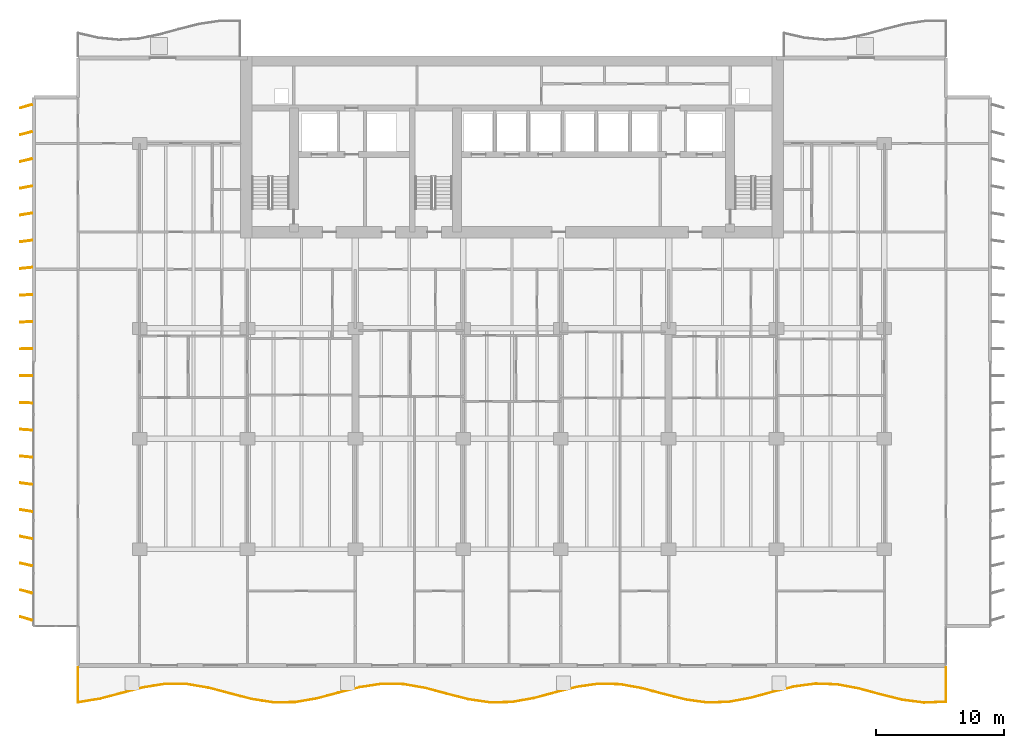
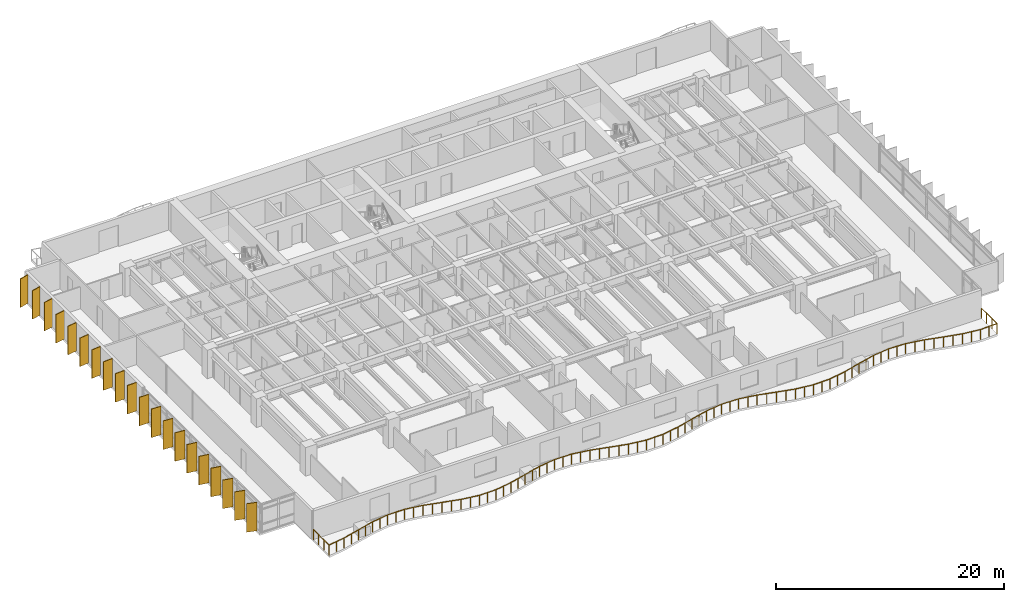
# One storey, part 15 of 18: 20 shading devices, 1 railing.
"""IFC4 building model written with IfcOpenShell, lengths in metres."""

from ifc_helpers import new_model, si_unit, direction, frame, origin, origin_2d, place, context, subcontext, project, spatial, rectangle, circle, extrude, material, material_profile, profile_set, type_object, element, save


model = new_model("IFC4")

# Units and contexts
model_context = context("Model", 3, precision=1e-05, world=origin(), true_north=direction((0.0, 1.0)))
body_context = subcontext(model_context, "Body", "Model", "MODEL_VIEW")
ifc_project = project(units=[si_unit("LENGTHUNIT", "METRE"), si_unit("AREAUNIT", "SQUARE_METRE"), si_unit("VOLUMEUNIT", "CUBIC_METRE"), si_unit("PLANEANGLEUNIT", "RADIAN"), si_unit("MASSUNIT", "GRAM", prefix="KILO")], contexts=[model_context])

# Site, building, storey
site_placement = place(None, origin())
site = spatial("IfcSite", under=ifc_project, at=site_placement, CompositionType="ELEMENT")
building_placement = place(site_placement, origin())
building = spatial("IfcBuilding", under=site, at=building_placement, Name="Caelmar Bay Residences", CompositionType="ELEMENT")
storey_placement = place(building_placement, frame((0.0, 0.0, 39.89990234375)))
storey = spatial("IfcBuildingStorey", under=building, at=storey_placement, Name="L09", CompositionType="ELEMENT", Elevation=39.89990234375)

# Railing
ifc_material_1 = material(Name="Anodised bronze handrail with laminated hurricane glass infill", Category="glass")
railing_type = type_object("IfcRailingType", Name="RL-BAL-1100", PredefinedType="BALUSTRADE", material=ifc_material_1)
railing_placement = place(storey_placement, frame((5.10009765625, 3.0, 0.0)))
element("IfcRailing", 1, at=railing_placement, inside=storey, type_object=railing_type, Name="L09 south Balcony Balustrade", PredefinedType="BALUSTRADE", context=body_context, shape_type="SweptSolid", body=[
    extrude(circle(Radius=0.02392578125, at=origin_2d()), frame((0.0, 0.0, 1.076171875), z_axis=(0.0, -1.0, 0.0), x_axis=(1.0, 0.0, 0.0)), (0.0, 0.0, 1.0), 2.7333984375),
    extrude(circle(Radius=0.02392578125, at=origin_2d()), frame((0.0, -2.7333984375, 1.076171875), z_axis=(0.987026195293, 0.160559303077, 0.0), x_axis=(-0.160559303077, 0.987026195293, 0.0)), (0.0, 0.0, 1.0), 1.712158203125),
    extrude(circle(Radius=0.02392578125, at=origin_2d()), frame((1.68994140625, -2.45849609375, 1.076171875), z_axis=(0.967163162883, 0.254156283341, 0.0), x_axis=(-0.254156283341, 0.967163162883, 0.0)), (0.0, 0.0, 1.0), 1.747314453125),
    extrude(circle(Radius=0.02392578125, at=origin_2d()), frame((3.3798828125, -2.014404296875, 1.076171875), z_axis=(0.967471654439, 0.252979441568, 0.0), x_axis=(-0.252979441568, 0.967471654439, 0.0)), (0.0, 0.0, 1.0), 1.746826171875),
    extrude(circle(Radius=0.02392578125, at=origin_2d()), frame((5.06982421875, -1.572509765625, 1.076171875), z_axis=(0.987544565194, 0.157339542887, 0.0), x_axis=(-0.157339542887, 0.987544565194, 0.0)), (0.0, 0.0, 1.0), 1.71142578125),
    extrude(circle(Radius=0.02392578125, at=origin_2d()), frame((6.760009765625, -1.30322265625, 1.076171875), z_axis=(0.999988636103, -0.004767354087, 0.0), x_axis=(0.004767354087, 0.999988636103, 0.0)), (0.0, 0.0, 1.0), 1.68994140625),
    extrude(circle(Radius=0.02392578125, at=origin_2d()), frame((8.449951171875, -1.311279296875, 1.076171875), z_axis=(0.986386220037, -0.164445203398, 0.0), x_axis=(0.164445203398, 0.986386220037, 0.0)), (0.0, 0.0, 1.0), 1.71337890625),
    extrude(circle(Radius=0.02392578125, at=origin_2d()), frame((10.139892578125, -1.593017578125, 1.076171875), z_axis=(0.966818948521, -0.255462562387, 0.0), x_axis=(0.255462562387, 0.966818948521, 0.0)), (0.0, 0.0, 1.0), 1.748046875),
    extrude(circle(Radius=0.02392578125, at=origin_2d()), frame((11.829833984375, -2.03955078125, 1.076171875), z_axis=(0.967855864516, -0.251505517877, 0.0), x_axis=(0.251505517877, 0.967855864516, 0.0)), (0.0, 0.0, 1.0), 1.746337890625),
    extrude(circle(Radius=0.02392578125, at=origin_2d()), frame((13.52001953125, -2.478759765625, 1.076171875), z_axis=(0.988197761008, -0.153183501526, 0.0), x_axis=(0.153183501526, 0.988197761008, 0.0)), (0.0, 0.0, 1.0), 1.710205078125),
    extrude(circle(Radius=0.02392578125, at=origin_2d()), frame((15.2099609375, -2.74072265625, 1.076171875), z_axis=(0.999951750457, 0.00982327637, 0.0), x_axis=(-0.00982327637, 0.999951750457, 0.0)), (0.0, 0.0, 1.0), 1.68994140625),
    extrude(circle(Radius=0.02392578125, at=origin_2d()), frame((16.89990234375, -2.72412109375, 1.076171875), z_axis=(0.985731815478, 0.168323462279, 0.0), x_axis=(-0.168323462279, 0.985731815478, 0.0)), (0.0, 0.0, 1.0), 1.71435546875),
    extrude(circle(Radius=0.02392578125, at=origin_2d()), frame((18.58984375, -2.435546875, 1.076171875), z_axis=(0.966438560958, 0.256897854979, 0.0), x_axis=(-0.256897854979, 0.966438560958, 0.0)), (0.0, 0.0, 1.0), 1.74853515625),
    extrude(circle(Radius=0.02392578125, at=origin_2d()), frame((20.27978515625, -1.986328125, 1.076171875), z_axis=(0.968296970277, 0.249801876197, 0.0), x_axis=(-0.249801876197, 0.968296970277, 0.0)), (0.0, 0.0, 1.0), 1.74560546875),
    extrude(circle(Radius=0.02392578125, at=origin_2d()), frame((21.969970703125, -1.55029296875, 1.076171875), z_axis=(0.988837638732, 0.148997061138, 0.0), x_axis=(-0.148997061138, 0.988837638732, 0.0)), (0.0, 0.0, 1.0), 1.708984375),
    extrude(circle(Radius=0.02392578125, at=origin_2d()), frame((23.659912109375, -1.295654296875, 1.076171875), z_axis=(0.999889309805, -0.014878445378, 0.0), x_axis=(0.014878445378, 0.999889309805, 0.0)), (0.0, 0.0, 1.0), 1.690185546875),
    extrude(circle(Radius=0.02392578125, at=origin_2d()), frame((25.349853515625, -1.32080078125, 1.076171875), z_axis=(0.985063070992, -0.17219392024, 0.0), x_axis=(0.17219392024, 0.985063070992, 0.0)), (0.0, 0.0, 1.0), 1.715576171875),
    extrude(circle(Radius=0.02392578125, at=origin_2d()), frame((27.039794921875, -1.6162109375, 1.076171875), z_axis=(0.966135268407, -0.258036127587, 0.0), x_axis=(0.258036127587, 0.966135268407, 0.0)), (0.0, 0.0, 1.0), 1.74951171875),
    extrude(circle(Radius=0.02392578125, at=origin_2d()), frame((28.72998046875, -2.067626953125, 1.076171875), z_axis=(0.968693212149, -0.248260872342, 0.0), x_axis=(0.248260872342, 0.968693212149, 0.0)), (0.0, 0.0, 1.0), 1.74462890625),
    extrude(circle(Radius=0.02392578125, at=origin_2d()), frame((30.419921875, -2.500732421875, 1.076171875), z_axis=(0.989481035696, -0.144662642029, 0.0), x_axis=(0.144662642029, 0.989481035696, 0.0)), (0.0, 0.0, 1.0), 1.7080078125),
    extrude(circle(Radius=0.02392578125, at=origin_2d()), frame((32.10986328125, -2.747802734375, 1.076171875), z_axis=(0.99980132851, 0.019932473755, 0.0), x_axis=(-0.019932473755, 0.99980132851, 0.0)), (0.0, 0.0, 1.0), 1.690185546875),
    extrude(circle(Radius=0.02392578125, at=origin_2d()), frame((33.7998046875, -2.714111328125, 1.076171875), z_axis=(0.984384484589, 0.176031776964, 0.0), x_axis=(-0.176031776964, 0.984384484589, 0.0)), (0.0, 0.0, 1.0), 1.717041015625),
    extrude(circle(Radius=0.02392578125, at=origin_2d()), frame((35.489990234375, -2.411865234375, 1.076171875), z_axis=(0.965847095879, 0.259112692437, 0.0), x_axis=(-0.259112692437, 0.965847095879, 0.0)), (0.0, 0.0, 1.0), 1.749755859375),
    extrude(circle(Radius=0.02392578125, at=origin_2d()), frame((37.179931640625, -1.95849609375, 1.076171875), z_axis=(0.969162863866, 0.246421069114, 0.0), x_axis=(-0.246421069114, 0.969162863866, 0.0)), (0.0, 0.0, 1.0), 1.74365234375),
    extrude(circle(Radius=0.02392578125, at=origin_2d()), frame((38.869873046875, -1.52880859375, 1.076171875), z_axis=(0.990066439331, 0.140600304805, 0.0), x_axis=(-0.140600304805, 0.990066439331, 0.0)), (0.0, 0.0, 1.0), 1.706787109375),
    extrude(circle(Radius=0.02392578125, at=origin_2d()), frame((40.559814453125, -1.288818359375, 1.076171875), z_axis=(0.999680662905, -0.025269986423, 0.0), x_axis=(0.025269986423, 0.999680662905, 0.0)), (0.0, 0.0, 1.0), 1.690673828125),
    extrude(circle(Radius=0.02392578125, at=origin_2d()), frame((42.25, -1.33154296875, 1.076171875), z_axis=(0.983733191726, -0.179635763413, 0.0), x_axis=(0.179635763413, 0.983733191726, 0.0)), (0.0, 0.0, 1.0), 1.7177734375),
    extrude(circle(Radius=0.02392578125, at=origin_2d()), frame((43.93994140625, -1.64013671875, 1.076171875), z_axis=(0.965532208633, -0.260283603194, 0.0), x_axis=(0.260283603194, 0.965532208633, 0.0)), (0.0, 0.0, 1.0), 1.750244140625),
    extrude(circle(Radius=0.02392578125, at=origin_2d()), frame((45.6298828125, -2.095703125, 1.076171875), z_axis=(0.969662682279, -0.244446891155, 0.0), x_axis=(0.244446891155, 0.969662682279, 0.0)), (0.0, 0.0, 1.0), 1.742919921875),
    extrude(circle(Radius=0.02392578125, at=origin_2d()), frame((47.31982421875, -2.521728515625, 1.076171875), z_axis=(0.990677150051, -0.13623062933, 0.0), x_axis=(0.13623062933, 0.990677150051, 0.0)), (0.0, 0.0, 1.0), 1.7060546875),
    extrude(circle(Radius=0.02392578125, at=origin_2d()), frame((49.010009765625, -2.754150390625, 1.076171875), z_axis=(0.999540118713, 0.030324100683, 0.0), x_axis=(-0.030324100683, 0.999540118713, 0.0)), (0.0, 0.0, 1.0), 1.690673828125),
    extrude(circle(Radius=0.02392578125, at=origin_2d()), frame((50.699951171875, -2.702880859375, 1.076171875), z_axis=(0.983048586958, 0.183345236314, 0.0), x_axis=(-0.183345236314, 0.983048586958, 0.0)), (0.0, 0.0, 1.0), 1.718994140625),
    extrude(circle(Radius=0.02392578125, at=origin_2d()), frame((52.389892578125, -2.3876953125, 1.076171875), z_axis=(0.965286457921, 0.261193518591, 0.0), x_axis=(-0.261193518591, 0.965286457921, 0.0)), (0.0, 0.0, 1.0), 1.750732421875),
    extrude(circle(Radius=0.02392578125, at=origin_2d()), frame((54.079833984375, -1.930419921875, 1.076171875), z_axis=(0.970134256523, 0.242568597146, 0.0), x_axis=(-0.242568597146, 0.970134256523, 0.0)), (0.0, 0.0, 1.0), 1.7421875),
    extrude(circle(Radius=0.02392578125, at=origin_2d()), frame((55.77001953125, -1.5078125, 1.076171875), z_axis=(0.991282846485, 0.131750970639, 0.0), x_axis=(-0.131750970639, 0.991282846485, 0.0)), (0.0, 0.0, 1.0), 1.704833984375),
    extrude(circle(Radius=0.02392578125, at=origin_2d()), frame((57.4599609375, -1.283203125, 1.076171875), z_axis=(0.99937420633, -0.035372245095, 0.0), x_axis=(0.035372245095, 0.99937420633, 0.0)), (0.0, 0.0, 1.0), 1.69091796875),
    extrude(circle(Radius=0.02392578125, at=origin_2d()), frame((59.14990234375, -1.343017578125, 1.076171875), z_axis=(0.98237705372, -0.186909936398, 0.0), x_axis=(0.186909936398, 0.98237705372, 0.0)), (0.0, 0.0, 1.0), 1.72021484375),
    extrude(circle(Radius=0.02392578125, at=origin_2d()), frame((60.83984375, -1.66455078125, 1.076171875), z_axis=(0.965039975648, -0.262102738257, 0.0), x_axis=(0.262102738257, 0.965039975648, 0.0)), (0.0, 0.0, 1.0), 1.751220703125),
    extrude(circle(Radius=0.02392578125, at=origin_2d()), frame((62.52978515625, -2.12353515625, 1.076171875), z_axis=(0.970659868136, -0.240456691298, 0.0), x_axis=(0.240456691298, 0.970659868136, 0.0)), (0.0, 0.0, 1.0), 1.7412109375),
    extrude(circle(Radius=0.02392578125, at=origin_2d()), frame((64.219970703125, -2.542236328125, 1.076171875), z_axis=(0.991835257497, -0.127525769889, 0.0), x_axis=(0.127525769889, 0.991835257497, 0.0)), (0.0, 0.0, 1.0), 1.703857421875),
    extrude(circle(Radius=0.02392578125, at=origin_2d()), frame((65.909912109375, -2.759521484375, 1.076171875), z_axis=(0.999177031749, 0.040561795135, 0.0), x_axis=(-0.040561795135, 0.999177031749, 0.0)), (0.0, 0.0, 1.0), 1.69140625),
    extrude(circle(Radius=0.02392578125, at=origin_2d()), frame((67.599853515625, -2.69091796875, 1.076171875), z_axis=(0.0, 1.0, 0.0), x_axis=(-1.0, 0.0, 0.0)), (0.0, 0.0, 1.0), 2.69091796875),
    extrude(circle(Radius=0.02099609375, at=origin_2d()), origin(), (0.0, 0.0, 1.0), 1.052001953125),
    extrude(circle(Radius=0.02099609375, at=origin_2d()), frame((0.0, -0.9111328125, 0.0)), (0.0, 0.0, 1.0), 1.052001953125),
    extrude(circle(Radius=0.02099609375, at=origin_2d()), frame((0.0, -1.822265625, 0.0)), (0.0, 0.0, 1.0), 1.052001953125),
    extrude(circle(Radius=0.02099609375, at=origin_2d()), frame((0.0, -2.7333984375, 0.0)), (0.0, 0.0, 1.0), 1.052001953125),
    extrude(circle(Radius=0.02099609375, at=origin_2d()), frame((0.844970703125, -2.595947265625, 0.0)), (0.0, 0.0, 1.0), 1.052001953125),
    extrude(circle(Radius=0.02099609375, at=origin_2d()), frame((1.68994140625, -2.45849609375, 0.0)), (0.0, 0.0, 1.0), 1.052001953125),
    extrude(circle(Radius=0.02099609375, at=origin_2d()), frame((2.534912109375, -2.236328125, 0.0)), (0.0, 0.0, 1.0), 1.052001953125),
    extrude(circle(Radius=0.02099609375, at=origin_2d()), frame((3.3798828125, -2.014404296875, 0.0)), (0.0, 0.0, 1.0), 1.052001953125),
    extrude(circle(Radius=0.02099609375, at=origin_2d()), frame((4.224853515625, -1.79345703125, 0.0)), (0.0, 0.0, 1.0), 1.052001953125),
    extrude(circle(Radius=0.02099609375, at=origin_2d()), frame((5.06982421875, -1.572509765625, 0.0)), (0.0, 0.0, 1.0), 1.052001953125),
    extrude(circle(Radius=0.02099609375, at=origin_2d()), frame((5.9150390625, -1.43798828125, 0.0)), (0.0, 0.0, 1.0), 1.052001953125),
    extrude(circle(Radius=0.02099609375, at=origin_2d()), frame((6.760009765625, -1.30322265625, 0.0)), (0.0, 0.0, 1.0), 1.052001953125),
    extrude(circle(Radius=0.02099609375, at=origin_2d()), frame((7.60498046875, -1.30712890625, 0.0)), (0.0, 0.0, 1.0), 1.052001953125),
    extrude(circle(Radius=0.02099609375, at=origin_2d()), frame((8.449951171875, -1.311279296875, 0.0)), (0.0, 0.0, 1.0), 1.052001953125),
    extrude(circle(Radius=0.02099609375, at=origin_2d()), frame((9.294921875, -1.4521484375, 0.0)), (0.0, 0.0, 1.0), 1.052001953125),
    extrude(circle(Radius=0.02099609375, at=origin_2d()), frame((10.139892578125, -1.593017578125, 0.0)), (0.0, 0.0, 1.0), 1.052001953125),
    extrude(circle(Radius=0.02099609375, at=origin_2d()), frame((10.98486328125, -1.81640625, 0.0)), (0.0, 0.0, 1.0), 1.052001953125),
    extrude(circle(Radius=0.02099609375, at=origin_2d()), frame((11.829833984375, -2.03955078125, 0.0)), (0.0, 0.0, 1.0), 1.052001953125),
    extrude(circle(Radius=0.02099609375, at=origin_2d()), frame((12.6748046875, -2.25927734375, 0.0)), (0.0, 0.0, 1.0), 1.052001953125),
    extrude(circle(Radius=0.02099609375, at=origin_2d()), frame((13.52001953125, -2.478759765625, 0.0)), (0.0, 0.0, 1.0), 1.052001953125),
    extrude(circle(Radius=0.02099609375, at=origin_2d()), frame((14.364990234375, -2.60986328125, 0.0)), (0.0, 0.0, 1.0), 1.052001953125),
    extrude(circle(Radius=0.02099609375, at=origin_2d()), frame((15.2099609375, -2.74072265625, 0.0)), (0.0, 0.0, 1.0), 1.052001953125),
    extrude(circle(Radius=0.02099609375, at=origin_2d()), frame((16.054931640625, -2.732421875, 0.0)), (0.0, 0.0, 1.0), 1.052001953125),
    extrude(circle(Radius=0.02099609375, at=origin_2d()), frame((16.89990234375, -2.72412109375, 0.0)), (0.0, 0.0, 1.0), 1.052001953125),
    extrude(circle(Radius=0.02099609375, at=origin_2d()), frame((17.744873046875, -2.579833984375, 0.0)), (0.0, 0.0, 1.0), 1.052001953125),
    extrude(circle(Radius=0.02099609375, at=origin_2d()), frame((18.58984375, -2.435546875, 0.0)), (0.0, 0.0, 1.0), 1.052001953125),
    extrude(circle(Radius=0.02099609375, at=origin_2d()), frame((19.434814453125, -2.2109375, 0.0)), (0.0, 0.0, 1.0), 1.052001953125),
    extrude(circle(Radius=0.02099609375, at=origin_2d()), frame((20.27978515625, -1.986328125, 0.0)), (0.0, 0.0, 1.0), 1.052001953125),
    extrude(circle(Radius=0.02099609375, at=origin_2d()), frame((21.125, -1.768310546875, 0.0)), (0.0, 0.0, 1.0), 1.052001953125),
    extrude(circle(Radius=0.02099609375, at=origin_2d()), frame((21.969970703125, -1.55029296875, 0.0)), (0.0, 0.0, 1.0), 1.052001953125),
    extrude(circle(Radius=0.02099609375, at=origin_2d()), frame((22.81494140625, -1.4228515625, 0.0)), (0.0, 0.0, 1.0), 1.052001953125),
    extrude(circle(Radius=0.02099609375, at=origin_2d()), frame((23.659912109375, -1.295654296875, 0.0)), (0.0, 0.0, 1.0), 1.052001953125),
    extrude(circle(Radius=0.02099609375, at=origin_2d()), frame((24.5048828125, -1.30810546875, 0.0)), (0.0, 0.0, 1.0), 1.052001953125),
    extrude(circle(Radius=0.02099609375, at=origin_2d()), frame((25.349853515625, -1.32080078125, 0.0)), (0.0, 0.0, 1.0), 1.052001953125),
    extrude(circle(Radius=0.02099609375, at=origin_2d()), frame((26.19482421875, -1.468505859375, 0.0)), (0.0, 0.0, 1.0), 1.052001953125),
    extrude(circle(Radius=0.02099609375, at=origin_2d()), frame((27.039794921875, -1.6162109375, 0.0)), (0.0, 0.0, 1.0), 1.052001953125),
    extrude(circle(Radius=0.02099609375, at=origin_2d()), frame((27.884765625, -1.841796875, 0.0)), (0.0, 0.0, 1.0), 1.052001953125),
    extrude(circle(Radius=0.02099609375, at=origin_2d()), frame((28.72998046875, -2.067626953125, 0.0)), (0.0, 0.0, 1.0), 1.052001953125),
    extrude(circle(Radius=0.02099609375, at=origin_2d()), frame((29.574951171875, -2.2841796875, 0.0)), (0.0, 0.0, 1.0), 1.052001953125),
    extrude(circle(Radius=0.02099609375, at=origin_2d()), frame((30.419921875, -2.500732421875, 0.0)), (0.0, 0.0, 1.0), 1.052001953125),
    extrude(circle(Radius=0.02099609375, at=origin_2d()), frame((31.264892578125, -2.624267578125, 0.0)), (0.0, 0.0, 1.0), 1.052001953125),
    extrude(circle(Radius=0.02099609375, at=origin_2d()), frame((32.10986328125, -2.747802734375, 0.0)), (0.0, 0.0, 1.0), 1.052001953125),
    extrude(circle(Radius=0.02099609375, at=origin_2d()), frame((32.954833984375, -2.73095703125, 0.0)), (0.0, 0.0, 1.0), 1.052001953125),
    extrude(circle(Radius=0.02099609375, at=origin_2d()), frame((33.7998046875, -2.714111328125, 0.0)), (0.0, 0.0, 1.0), 1.052001953125),
    extrude(circle(Radius=0.02099609375, at=origin_2d()), frame((34.64501953125, -2.56298828125, 0.0)), (0.0, 0.0, 1.0), 1.052001953125),
    extrude(circle(Radius=0.02099609375, at=origin_2d()), frame((35.489990234375, -2.411865234375, 0.0)), (0.0, 0.0, 1.0), 1.052001953125),
    extrude(circle(Radius=0.02099609375, at=origin_2d()), frame((36.3349609375, -2.18505859375, 0.0)), (0.0, 0.0, 1.0), 1.052001953125),
    extrude(circle(Radius=0.02099609375, at=origin_2d()), frame((37.179931640625, -1.95849609375, 0.0)), (0.0, 0.0, 1.0), 1.052001953125),
    extrude(circle(Radius=0.02099609375, at=origin_2d()), frame((38.02490234375, -1.74365234375, 0.0)), (0.0, 0.0, 1.0), 1.052001953125),
    extrude(circle(Radius=0.02099609375, at=origin_2d()), frame((38.869873046875, -1.52880859375, 0.0)), (0.0, 0.0, 1.0), 1.052001953125),
    extrude(circle(Radius=0.02099609375, at=origin_2d()), frame((39.71484375, -1.40869140625, 0.0)), (0.0, 0.0, 1.0), 1.052001953125),
    extrude(circle(Radius=0.02099609375, at=origin_2d()), frame((40.559814453125, -1.288818359375, 0.0)), (0.0, 0.0, 1.0), 1.052001953125),
    extrude(circle(Radius=0.02099609375, at=origin_2d()), frame((41.40478515625, -1.31005859375, 0.0)), (0.0, 0.0, 1.0), 1.052001953125),
    extrude(circle(Radius=0.02099609375, at=origin_2d()), frame((42.25, -1.33154296875, 0.0)), (0.0, 0.0, 1.0), 1.052001953125),
    extrude(circle(Radius=0.02099609375, at=origin_2d()), frame((43.094970703125, -1.48583984375, 0.0)), (0.0, 0.0, 1.0), 1.052001953125),
    extrude(circle(Radius=0.02099609375, at=origin_2d()), frame((43.93994140625, -1.64013671875, 0.0)), (0.0, 0.0, 1.0), 1.052001953125),
    extrude(circle(Radius=0.02099609375, at=origin_2d()), frame((44.784912109375, -1.867919921875, 0.0)), (0.0, 0.0, 1.0), 1.052001953125),
    extrude(circle(Radius=0.02099609375, at=origin_2d()), frame((45.6298828125, -2.095703125, 0.0)), (0.0, 0.0, 1.0), 1.052001953125),
    extrude(circle(Radius=0.02099609375, at=origin_2d()), frame((46.474853515625, -2.30859375, 0.0)), (0.0, 0.0, 1.0), 1.052001953125),
    extrude(circle(Radius=0.02099609375, at=origin_2d()), frame((47.31982421875, -2.521728515625, 0.0)), (0.0, 0.0, 1.0), 1.052001953125),
    extrude(circle(Radius=0.02099609375, at=origin_2d()), frame((48.1650390625, -2.637939453125, 0.0)), (0.0, 0.0, 1.0), 1.052001953125),
    extrude(circle(Radius=0.02099609375, at=origin_2d()), frame((49.010009765625, -2.754150390625, 0.0)), (0.0, 0.0, 1.0), 1.052001953125),
    extrude(circle(Radius=0.02099609375, at=origin_2d()), frame((49.85498046875, -2.728515625, 0.0)), (0.0, 0.0, 1.0), 1.052001953125),
    extrude(circle(Radius=0.02099609375, at=origin_2d()), frame((50.699951171875, -2.702880859375, 0.0)), (0.0, 0.0, 1.0), 1.052001953125),
    extrude(circle(Radius=0.02099609375, at=origin_2d()), frame((51.544921875, -2.54541015625, 0.0)), (0.0, 0.0, 1.0), 1.052001953125),
    extrude(circle(Radius=0.02099609375, at=origin_2d()), frame((52.389892578125, -2.3876953125, 0.0)), (0.0, 0.0, 1.0), 1.052001953125),
    extrude(circle(Radius=0.02099609375, at=origin_2d()), frame((53.23486328125, -2.1591796875, 0.0)), (0.0, 0.0, 1.0), 1.052001953125),
    extrude(circle(Radius=0.02099609375, at=origin_2d()), frame((54.079833984375, -1.930419921875, 0.0)), (0.0, 0.0, 1.0), 1.052001953125),
    extrude(circle(Radius=0.02099609375, at=origin_2d()), frame((54.9248046875, -1.71923828125, 0.0)), (0.0, 0.0, 1.0), 1.052001953125),
    extrude(circle(Radius=0.02099609375, at=origin_2d()), frame((55.77001953125, -1.5078125, 0.0)), (0.0, 0.0, 1.0), 1.052001953125),
    extrude(circle(Radius=0.02099609375, at=origin_2d()), frame((56.614990234375, -1.3955078125, 0.0)), (0.0, 0.0, 1.0), 1.052001953125),
    extrude(circle(Radius=0.02099609375, at=origin_2d()), frame((57.4599609375, -1.283203125, 0.0)), (0.0, 0.0, 1.0), 1.052001953125),
    extrude(circle(Radius=0.02099609375, at=origin_2d()), frame((58.304931640625, -1.31298828125, 0.0)), (0.0, 0.0, 1.0), 1.052001953125),
    extrude(circle(Radius=0.02099609375, at=origin_2d()), frame((59.14990234375, -1.343017578125, 0.0)), (0.0, 0.0, 1.0), 1.052001953125),
    extrude(circle(Radius=0.02099609375, at=origin_2d()), frame((59.994873046875, -1.50390625, 0.0)), (0.0, 0.0, 1.0), 1.052001953125),
    extrude(circle(Radius=0.02099609375, at=origin_2d()), frame((60.83984375, -1.66455078125, 0.0)), (0.0, 0.0, 1.0), 1.052001953125),
    extrude(circle(Radius=0.02099609375, at=origin_2d()), frame((61.684814453125, -1.89404296875, 0.0)), (0.0, 0.0, 1.0), 1.052001953125),
    extrude(circle(Radius=0.02099609375, at=origin_2d()), frame((62.52978515625, -2.12353515625, 0.0)), (0.0, 0.0, 1.0), 1.052001953125),
    extrude(circle(Radius=0.02099609375, at=origin_2d()), frame((63.375, -2.3330078125, 0.0)), (0.0, 0.0, 1.0), 1.052001953125),
    extrude(circle(Radius=0.02099609375, at=origin_2d()), frame((64.219970703125, -2.542236328125, 0.0)), (0.0, 0.0, 1.0), 1.052001953125),
    extrude(circle(Radius=0.02099609375, at=origin_2d()), frame((65.06494140625, -2.65087890625, 0.0)), (0.0, 0.0, 1.0), 1.052001953125),
    extrude(circle(Radius=0.02099609375, at=origin_2d()), frame((65.909912109375, -2.759521484375, 0.0)), (0.0, 0.0, 1.0), 1.052001953125),
    extrude(circle(Radius=0.02099609375, at=origin_2d()), frame((66.7548828125, -2.72509765625, 0.0)), (0.0, 0.0, 1.0), 1.052001953125),
    extrude(circle(Radius=0.02099609375, at=origin_2d()), frame((67.599853515625, -2.69091796875, 0.0)), (0.0, 0.0, 1.0), 1.052001953125),
    extrude(circle(Radius=0.02099609375, at=origin_2d()), frame((67.599853515625, -1.7939453125, 0.0)), (0.0, 0.0, 1.0), 1.052001953125),
    extrude(circle(Radius=0.02099609375, at=origin_2d()), frame((67.599853515625, -0.89697265625, 0.0)), (0.0, 0.0, 1.0), 1.052001953125),
    extrude(circle(Radius=0.02099609375, at=origin_2d()), frame((67.599853515625, 0.0, 0.0)), (0.0, 0.0, 1.0), 1.052001953125),
])

# Shading devices
ifc_material_2 = material(Name="Anodised architectural bronze aluminium 6063-T6", Category="aluminium")
ifc_material_profile = material_profile(ifc_material_2, rectangle(XDim=0.074951171875, YDim=0.949951171875, at=origin_2d()), Name="BRONZE-FIN-75X950")
ifc_profile_set = profile_set([ifc_material_profile], Name="Anodised architectural bronze aluminium 6063-T6")
shading_device_type = type_object("IfcShadingDeviceType", Name="SHD-FIN-950", PredefinedType="USERDEFINED", material=ifc_profile_set)
for number, where, z_axis, x_axis, name in (
    (2, (1.050048828125, 6.800048828125, 0.0), (0.0, 0.0, 1.0), (0.275637355817, 0.961261695938, 0.0), "L09 West Bronze Solar Fin 1"),
    (3, (1.050048828125, 8.89990234375, 0.0), (0.0, 0.0, 1.0), (0.247337247968, 0.968929453452, 0.0), "L09 West Bronze Solar Fin 2"),
    (4, (1.050048828125, 11.0, 0.0), (0.0, 0.0, 1.0), (0.218654200292, 0.975802408633, 0.0), "L09 West Bronze Solar Fin 3"),
    (5, (1.050048828125, 13.10009765625, 0.0), (0.0, 0.0, 1.0), (0.189952291512, 0.981793321911, 0.0), "L09 West Bronze Solar Fin 4"),
    (6, (1.050048828125, 15.199951171875, 0.0), (0.0, 0.0, 1.0), (0.160914826518, 0.986968296657, 0.0), "L09 West Bronze Solar Fin 5"),
    (7, (1.050048828125, 17.300048828125, 0.0), (0.0, 0.0, 1.0), (0.131910382711, 0.991261646052, 0.0), "L09 West Bronze Solar Fin 6"),
    (8, (1.050048828125, 19.39990234375, 0.0), (0.0, 0.0, 1.0), (0.10261892683, 0.994720742649, 0.0), "L09 West Bronze Solar Fin 7"),
    (9, (1.050048828125, 21.5, 0.0), (0.0, 0.0, 1.0), (0.073412260224, 0.997301679558, 0.0), "L09 West Bronze Solar Fin 8"),
    (10, (1.050048828125, 23.60009765625, 0.0), (0.0, 0.0, 1.0), (0.044142481788, 0.999025245578, 0.0), "L09 West Bronze Solar Fin 9"),
    (11, (1.050048828125, 25.699951171875, 0.0), (0.0, 0.0, 1.0), (0.01466024053, 0.999892532899, 0.0), "L09 West Bronze Solar Fin 10"),
    (12, (1.050048828125, 27.800048828125, 0.0), (0.0, 0.0, 1.0), (-0.01466024053, 0.999892532899, 0.0), "L09 West Bronze Solar Fin 11"),
    (13, (1.050048828125, 29.89990234375, 0.0), (0.0, 0.0, 1.0), (-0.044142481788, 0.999025245578, 0.0), "L09 West Bronze Solar Fin 12"),
    (14, (1.050048828125, 32.0, 0.0), (0.0, 0.0, 1.0), (-0.073412260224, 0.997301679558, 0.0), "L09 West Bronze Solar Fin 13"),
    (15, (1.050048828125, 34.10009765625, 0.0), (0.0, 0.0, 1.0), (-0.10261892683, 0.994720742649, 0.0), "L09 West Bronze Solar Fin 14"),
    (16, (1.050048828125, 36.199951171875, 0.0), (0.0, 0.0, 1.0), (-0.131910382711, 0.991261646052, 0.0), "L09 West Bronze Solar Fin 15"),
    (17, (1.050048828125, 38.300048828125, 0.0), (0.0, 0.0, 1.0), (-0.160914826518, 0.986968296657, 0.0), "L09 West Bronze Solar Fin 16"),
    (18, (1.050048828125, 40.39990234375, 0.0), (0.0, 0.0, 1.0), (-0.189952291512, 0.981793321911, 0.0), "L09 West Bronze Solar Fin 17"),
    (19, (1.050048828125, 42.5, 0.0), (0.0, 0.0, 1.0), (-0.218654200292, 0.975802408633, 0.0), "L09 West Bronze Solar Fin 18"),
    (20, (1.050048828125, 44.60009765625, 0.0), (0.0, 0.0, 1.0), (-0.247337247968, 0.968929453452, 0.0), "L09 West Bronze Solar Fin 19"),
    (21, (1.050048828125, 46.699951171875, 0.0), (0.0, 0.0, 1.0), (-0.275637355817, 0.961261695938, 0.0), "L09 West Bronze Solar Fin 20"),
):
    element("IfcShadingDevice", number, at=place(storey_placement, frame(where, z_axis=z_axis, x_axis=x_axis)), inside=storey, type_object=shading_device_type, Name=name, ObjectType="FIN", PredefinedType="USERDEFINED", context=body_context, shape_type="SweptSolid", body=[
        extrude(rectangle(XDim=0.074951171875, YDim=0.949951171875, at=origin_2d()), origin(), (0.0, 0.0, 1.0), 3.050048828125),
    ])

save(model, "model.ifc")
